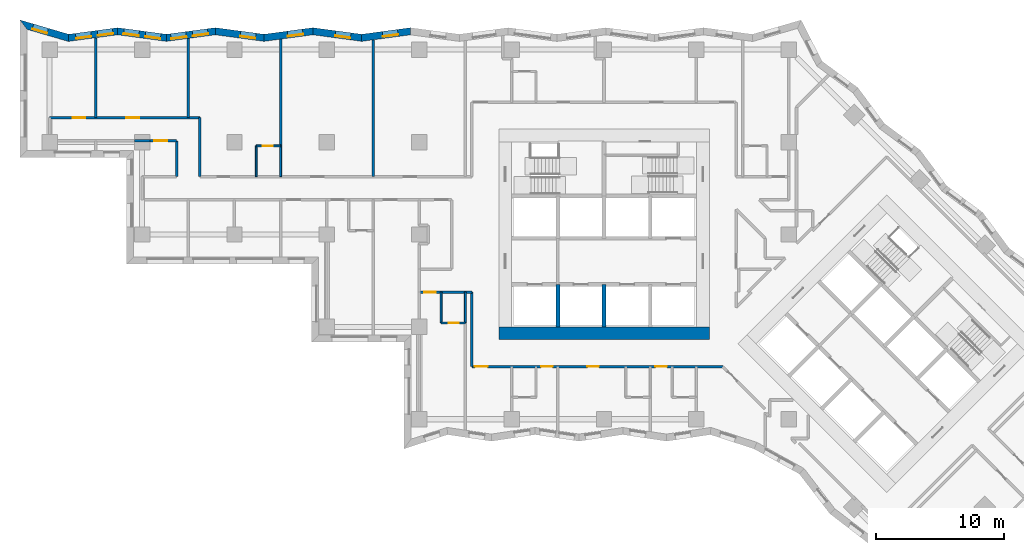
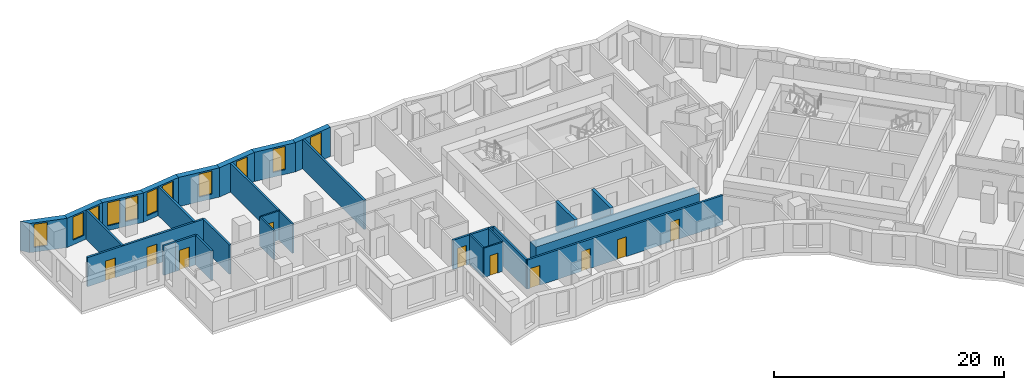
# One storey, part 4 of 12: 29 walls, 11 windows, 10 doors, 21 openings.
"""IFC4 building model written with IfcOpenShell, lengths in metres."""

from ifc_helpers import new_model, si_unit, direction, frame, frame_2d, origin, place, context, subcontext, project, spatial, polyline, rectangle, outline, extrude, material, layer, layer_set, type_object, element, fill, save


model = new_model("IFC4")

# Units and contexts
model_context = context("Model", 3, precision=1e-05, world=origin(), true_north=direction((0.0, 1.0)))
body_context = subcontext(model_context, "Body", "Model", "MODEL_VIEW")
ifc_project = project(units=[si_unit("LENGTHUNIT", "METRE"), si_unit("AREAUNIT", "SQUARE_METRE"), si_unit("VOLUMEUNIT", "CUBIC_METRE"), si_unit("PLANEANGLEUNIT", "RADIAN"), si_unit("MASSUNIT", "GRAM", prefix="KILO")], contexts=[model_context])

# Site, building, storey
site_placement = place(None, origin())
site = spatial("IfcSite", under=ifc_project, at=site_placement, CompositionType="ELEMENT")
building_placement = place(site_placement, origin())
building = spatial("IfcBuilding", under=site, at=building_placement, Name="Windrow Commons", CompositionType="ELEMENT")
storey_placement = place(building_placement, frame((0.0, 0.0, 50.8)))
storey = spatial("IfcBuildingStorey", under=building, at=storey_placement, Name="L13", CompositionType="ELEMENT", Elevation=50.8)

# Wall, opening, window
ifc_material_1 = material(Name="Brick masonry, red clay brick", Category="masonry")
ifc_layer_1 = layer(ifc_material_1, 0.55)
ifc_layer_set_1 = layer_set([ifc_layer_1], Name="Brick facade wall 550")
wall_type_1 = type_object("IfcWallType", Name="Brick facade wall 550", PredefinedType="SOLIDWALL", material=ifc_layer_set_1)
wall_1_placement = place(storey_placement, frame((49.7229, 73.4345, 0.0), z_axis=(0.0, 0.0, 1.0), x_axis=(-0.9910651652, -0.1333785524, 0.0)))
wall_1 = element("IfcWall", 1, at=wall_1_placement, inside=storey, type_object=wall_type_1, Name="Brick facade wall L13 31", PredefinedType="SOLIDWALL", context=body_context, shape_type="SweptSolid", body=[
    extrude(outline(polyline([(-0.037, -0.275), (3.8016, -0.275), (3.8757, 0.275), (0.037, 0.275), (-0.037, -0.275)])), origin(), (0.0, 0.0, 1.0), 3.1),
])
opening_1_placement = place(wall_1_placement, frame((0.9931, 0.0, 0.5)))
opening_1 = element("IfcOpeningElement", 2, at=opening_1_placement, cuts=wall_1, Name="Opening W7D", PredefinedType="OPENING", context=body_context, shape_type="SweptSolid", body=[
    extrude(rectangle(XDim=1.2, YDim=2.45, at=frame_2d((0.6, 1.225))), frame((0.0, 0.285, 0.0), z_axis=(0.0, -1.0, 0.0), x_axis=(1.0, 0.0, 0.0)), (0.0, 0.0, 1.0), 0.57),
])
ifc_material_2 = material(Name="Clear float glass in anodised aluminium frame", Category="aluminium")
window_type = type_object("IfcWindowType", Name="Window W7 notch 1200x2450", PartitioningType="SINGLE_PANEL", PredefinedType="WINDOW", material=ifc_material_2)
window_1_placement = place(opening_1_placement, origin())
window_1 = element("IfcWindow", 3, at=window_1_placement, inside=storey, type_object=window_type, Name="Window L13 31.1", OverallHeight=2.45, OverallWidth=1.2, PartitioningType="SINGLE_PANEL", PredefinedType="WINDOW", context=body_context, shape_type="SweptSolid", body=[
    extrude(rectangle(XDim=1.2, YDim=2.45, at=frame_2d((0.6, 1.225))), frame((0.0, 0.155, 0.0), z_axis=(0.0, -1.0, 0.0), x_axis=(1.0, 0.0, 0.0)), (0.0, 0.0, 1.0), 0.06),
])
fill(opening_1, window_1)

wall_2_placement = place(storey_placement, frame((45.9185, 72.9225, 0.0), z_axis=(0.0, 0.0, 1.0), x_axis=(-0.9910651652, 0.1333785524, 0.0)))
wall_2 = element("IfcWall", 4, at=wall_2_placement, inside=storey, type_object=wall_type_1, Name="Brick facade wall L13 32", PredefinedType="SOLIDWALL", context=body_context, shape_type="SweptSolid", body=[
    extrude(outline(polyline([(0.037, -0.275), (3.8757, -0.275), (3.8016, 0.275), (-0.037, 0.275), (0.037, -0.275)])), origin(), (0.0, 0.0, 1.0), 3.1),
])
opening_2_placement = place(wall_2_placement, frame((0.8715, 0.0, 0.5)))
opening_2 = element("IfcOpeningElement", 5, at=opening_2_placement, cuts=wall_2, Name="Opening W7D", PredefinedType="OPENING", context=body_context, shape_type="SweptSolid", body=[
    extrude(rectangle(XDim=1.2, YDim=2.45, at=frame_2d((0.6, 1.225))), frame((0.0, 0.285, 0.0), z_axis=(0.0, -1.0, 0.0), x_axis=(1.0, 0.0, 0.0)), (0.0, 0.0, 1.0), 0.57),
])
window_2_placement = place(opening_2_placement, origin())
window_2 = element("IfcWindow", 6, at=window_2_placement, inside=storey, type_object=window_type, Name="Window L13 32.1", OverallHeight=2.45, OverallWidth=1.2, PartitioningType="SINGLE_PANEL", PredefinedType="WINDOW", context=body_context, shape_type="SweptSolid", body=[
    extrude(rectangle(XDim=1.2, YDim=2.45, at=frame_2d((0.6, 1.225))), frame((0.0, 0.155, 0.0), z_axis=(0.0, -1.0, 0.0), x_axis=(1.0, 0.0, 0.0)), (0.0, 0.0, 1.0), 0.06),
])
fill(opening_2, window_2)

wall_3_placement = place(storey_placement, frame((42.1141, 73.4345, 0.0), z_axis=(0.0, 0.0, 1.0), x_axis=(-0.9910647018, -0.133381996, 0.0)))
wall_3 = element("IfcWall", 7, at=wall_3_placement, inside=storey, type_object=wall_type_1, Name="Brick facade wall L13 33", PredefinedType="SOLIDWALL", context=body_context, shape_type="SweptSolid", body=[
    extrude(outline(polyline([(-0.037, -0.275), (3.8016, -0.275), (3.8757, 0.275), (0.037, 0.275), (-0.037, -0.275)])), origin(), (0.0, 0.0, 1.0), 3.1),
])
opening_3_placement = place(wall_3_placement, frame((0.7869, 0.0, 0.5)))
opening_3 = element("IfcOpeningElement", 8, at=opening_3_placement, cuts=wall_3, Name="Opening W7D", PredefinedType="OPENING", context=body_context, shape_type="SweptSolid", body=[
    extrude(rectangle(XDim=1.2, YDim=2.45, at=frame_2d((0.6, 1.225))), frame((0.0, 0.285, 0.0), z_axis=(0.0, -1.0, 0.0), x_axis=(1.0, 0.0, 0.0)), (0.0, 0.0, 1.0), 0.57),
])
window_3_placement = place(opening_3_placement, origin())
window_3 = element("IfcWindow", 9, at=window_3_placement, inside=storey, type_object=window_type, Name="Window L13 33.1", OverallHeight=2.45, OverallWidth=1.2, PartitioningType="SINGLE_PANEL", PredefinedType="WINDOW", context=body_context, shape_type="SweptSolid", body=[
    extrude(rectangle(XDim=1.2, YDim=2.45, at=frame_2d((0.6, 1.225))), frame((0.0, 0.155, 0.0), z_axis=(0.0, -1.0, 0.0), x_axis=(1.0, 0.0, 0.0)), (0.0, 0.0, 1.0), 0.06),
])
fill(opening_3, window_3)

wall_4_placement = place(storey_placement, frame((38.3098, 72.9225, 0.0), z_axis=(0.0, 0.0, 1.0), x_axis=(-0.9910651652, 0.1333785524, 0.0)))
wall_4 = element("IfcWall", 10, at=wall_4_placement, inside=storey, type_object=wall_type_1, Name="Brick facade wall L13 34", PredefinedType="SOLIDWALL", context=body_context, shape_type="SweptSolid", body=[
    extrude(outline(polyline([(0.037, -0.275), (3.8757, -0.275), (3.8016, 0.275), (-0.037, 0.275), (0.037, -0.275)])), origin(), (0.0, 0.0, 1.0), 3.1),
])
opening_4_placement = place(wall_4_placement, frame((0.6653, 0.0, 0.5)))
opening_4 = element("IfcOpeningElement", 11, at=opening_4_placement, cuts=wall_4, Name="Opening W7D", PredefinedType="OPENING", context=body_context, shape_type="SweptSolid", body=[
    extrude(rectangle(XDim=1.2, YDim=2.45, at=frame_2d((0.6, 1.225))), frame((0.0, 0.285, 0.0), z_axis=(0.0, -1.0, 0.0), x_axis=(1.0, 0.0, 0.0)), (0.0, 0.0, 1.0), 0.57),
])
window_4_placement = place(opening_4_placement, origin())
window_4 = element("IfcWindow", 12, at=window_4_placement, inside=storey, type_object=window_type, Name="Window L13 34.1", OverallHeight=2.45, OverallWidth=1.2, PartitioningType="SINGLE_PANEL", PredefinedType="WINDOW", context=body_context, shape_type="SweptSolid", body=[
    extrude(rectangle(XDim=1.2, YDim=2.45, at=frame_2d((0.6, 1.225))), frame((0.0, 0.155, 0.0), z_axis=(0.0, -1.0, 0.0), x_axis=(1.0, 0.0, 0.0)), (0.0, 0.0, 1.0), 0.06),
])
fill(opening_4, window_4)

# Wall, openings, windows
wall_5_placement = place(storey_placement, frame((34.5054, 73.4345, 0.0), z_axis=(0.0, 0.0, 1.0), x_axis=(-0.9910647018, -0.133381996, 0.0)))
wall_5 = element("IfcWall", 13, at=wall_5_placement, inside=storey, type_object=wall_type_1, Name="Brick facade wall L13 35", PredefinedType="SOLIDWALL", context=body_context, shape_type="SweptSolid", body=[
    extrude(outline(polyline([(-0.037, -0.275), (3.8016, -0.275), (3.8757, 0.275), (0.037, 0.275), (-0.037, -0.275)])), origin(), (0.0, 0.0, 1.0), 3.1),
])
opening_5_placement = place(wall_5_placement, frame((0.5807, 0.0, 0.5)))
opening_5 = element("IfcOpeningElement", 14, at=opening_5_placement, cuts=wall_5, Name="Opening W7D", PredefinedType="OPENING", context=body_context, shape_type="SweptSolid", body=[
    extrude(rectangle(XDim=1.2, YDim=2.45, at=frame_2d((0.6, 1.225))), frame((0.0, 0.285, 0.0), z_axis=(0.0, -1.0, 0.0), x_axis=(1.0, 0.0, 0.0)), (0.0, 0.0, 1.0), 0.57),
])
opening_6_placement = place(wall_5_placement, frame((2.2815, 0.0, 0.5)))
opening_6 = element("IfcOpeningElement", 15, at=opening_6_placement, cuts=wall_5, Name="Opening W7D", PredefinedType="OPENING", context=body_context, shape_type="SweptSolid", body=[
    extrude(rectangle(XDim=1.2, YDim=2.45, at=frame_2d((0.6, 1.225))), frame((0.0, 0.285, 0.0), z_axis=(0.0, -1.0, 0.0), x_axis=(1.0, 0.0, 0.0)), (0.0, 0.0, 1.0), 0.57),
])
window_5_placement = place(opening_5_placement, origin())
window_5 = element("IfcWindow", 16, at=window_5_placement, inside=storey, type_object=window_type, Name="Window L13 35.1", OverallHeight=2.45, OverallWidth=1.2, PartitioningType="SINGLE_PANEL", PredefinedType="WINDOW", context=body_context, shape_type="SweptSolid", body=[
    extrude(rectangle(XDim=1.2, YDim=2.45, at=frame_2d((0.6, 1.225))), frame((0.0, 0.155, 0.0), z_axis=(0.0, -1.0, 0.0), x_axis=(1.0, 0.0, 0.0)), (0.0, 0.0, 1.0), 0.06),
])
fill(opening_5, window_5)
window_6_placement = place(opening_6_placement, origin())
window_6 = element("IfcWindow", 17, at=window_6_placement, inside=storey, type_object=window_type, Name="Window L13 35.2", OverallHeight=2.45, OverallWidth=1.2, PartitioningType="SINGLE_PANEL", PredefinedType="WINDOW", context=body_context, shape_type="SweptSolid", body=[
    extrude(rectangle(XDim=1.2, YDim=2.45, at=frame_2d((0.6, 1.225))), frame((0.0, 0.155, 0.0), z_axis=(0.0, -1.0, 0.0), x_axis=(1.0, 0.0, 0.0)), (0.0, 0.0, 1.0), 0.06),
])
fill(opening_6, window_6)

wall_6_placement = place(storey_placement, frame((30.7011, 72.9225, 0.0), z_axis=(0.0, 0.0, 1.0), x_axis=(-0.9910651652, 0.1333785524, 0.0)))
wall_6 = element("IfcWall", 18, at=wall_6_placement, inside=storey, type_object=wall_type_1, Name="Brick facade wall L13 36", PredefinedType="SOLIDWALL", context=body_context, shape_type="SweptSolid", body=[
    extrude(outline(polyline([(0.037, -0.275), (3.8757, -0.275), (3.8016, 0.275), (-0.037, 0.275), (0.037, -0.275)])), origin(), (0.0, 0.0, 1.0), 3.1),
])
opening_7_placement = place(wall_6_placement, frame((0.4591, 0.0, 0.5)))
opening_7 = element("IfcOpeningElement", 19, at=opening_7_placement, cuts=wall_6, Name="Opening W7D", PredefinedType="OPENING", context=body_context, shape_type="SweptSolid", body=[
    extrude(rectangle(XDim=1.2, YDim=2.45, at=frame_2d((0.6, 1.225))), frame((0.0, 0.285, 0.0), z_axis=(0.0, -1.0, 0.0), x_axis=(1.0, 0.0, 0.0)), (0.0, 0.0, 1.0), 0.57),
])
opening_8_placement = place(wall_6_placement, frame((2.1599, 0.0, 0.5)))
opening_8 = element("IfcOpeningElement", 20, at=opening_8_placement, cuts=wall_6, Name="Opening W7D", PredefinedType="OPENING", context=body_context, shape_type="SweptSolid", body=[
    extrude(rectangle(XDim=1.2, YDim=2.45, at=frame_2d((0.6, 1.225))), frame((0.0, 0.285, 0.0), z_axis=(0.0, -1.0, 0.0), x_axis=(1.0, 0.0, 0.0)), (0.0, 0.0, 1.0), 0.57),
])
window_7_placement = place(opening_7_placement, origin())
window_7 = element("IfcWindow", 21, at=window_7_placement, inside=storey, type_object=window_type, Name="Window L13 36.1", OverallHeight=2.45, OverallWidth=1.2, PartitioningType="SINGLE_PANEL", PredefinedType="WINDOW", context=body_context, shape_type="SweptSolid", body=[
    extrude(rectangle(XDim=1.2, YDim=2.45, at=frame_2d((0.6, 1.225))), frame((0.0, 0.155, 0.0), z_axis=(0.0, -1.0, 0.0), x_axis=(1.0, 0.0, 0.0)), (0.0, 0.0, 1.0), 0.06),
])
fill(opening_7, window_7)
window_8_placement = place(opening_8_placement, origin())
window_8 = element("IfcWindow", 22, at=window_8_placement, inside=storey, type_object=window_type, Name="Window L13 36.2", OverallHeight=2.45, OverallWidth=1.2, PartitioningType="SINGLE_PANEL", PredefinedType="WINDOW", context=body_context, shape_type="SweptSolid", body=[
    extrude(rectangle(XDim=1.2, YDim=2.45, at=frame_2d((0.6, 1.225))), frame((0.0, 0.155, 0.0), z_axis=(0.0, -1.0, 0.0), x_axis=(1.0, 0.0, 0.0)), (0.0, 0.0, 1.0), 0.06),
])
fill(opening_8, window_8)

wall_7_placement = place(storey_placement, frame((26.8967, 73.4345, 0.0), z_axis=(0.0, 0.0, 1.0), x_axis=(-0.9910665233, -0.1333684607, 0.0)))
wall_7 = element("IfcWall", 23, at=wall_7_placement, inside=storey, type_object=wall_type_1, Name="Brick facade wall L13 37", PredefinedType="SOLIDWALL", context=body_context, shape_type="SweptSolid", body=[
    extrude(outline(polyline([(-0.037, -0.275), (3.8016, -0.275), (3.9183, 0.275), (0.037, 0.275), (-0.037, -0.275)])), origin(), (0.0, 0.0, 1.0), 3.1),
])
opening_9_placement = place(wall_7_placement, frame((0.3745, 0.0, 0.5)))
opening_9 = element("IfcOpeningElement", 24, at=opening_9_placement, cuts=wall_7, Name="Opening W7D", PredefinedType="OPENING", context=body_context, shape_type="SweptSolid", body=[
    extrude(rectangle(XDim=1.2, YDim=2.45, at=frame_2d((0.6, 1.225))), frame((0.0, 0.285, 0.0), z_axis=(0.0, -1.0, 0.0), x_axis=(1.0, 0.0, 0.0)), (0.0, 0.0, 1.0), 0.57),
])
opening_10_placement = place(wall_7_placement, frame((2.086, 0.0, 0.5)))
opening_10 = element("IfcOpeningElement", 25, at=opening_10_placement, cuts=wall_7, Name="Opening W7D", PredefinedType="OPENING", context=body_context, shape_type="SweptSolid", body=[
    extrude(rectangle(XDim=1.2, YDim=2.45, at=frame_2d((0.6, 1.225))), frame((0.0, 0.285, 0.0), z_axis=(0.0, -1.0, 0.0), x_axis=(1.0, 0.0, 0.0)), (0.0, 0.0, 1.0), 0.57),
])
window_9_placement = place(opening_9_placement, origin())
window_9 = element("IfcWindow", 26, at=window_9_placement, inside=storey, type_object=window_type, Name="Window L13 37.1", OverallHeight=2.45, OverallWidth=1.2, PartitioningType="SINGLE_PANEL", PredefinedType="WINDOW", context=body_context, shape_type="SweptSolid", body=[
    extrude(rectangle(XDim=1.2, YDim=2.45, at=frame_2d((0.6, 1.225))), frame((0.0, 0.155, 0.0), z_axis=(0.0, -1.0, 0.0), x_axis=(1.0, 0.0, 0.0)), (0.0, 0.0, 1.0), 0.06),
])
fill(opening_9, window_9)
window_10_placement = place(opening_10_placement, origin())
window_10 = element("IfcWindow", 27, at=window_10_placement, inside=storey, type_object=window_type, Name="Window L13 37.2", OverallHeight=2.45, OverallWidth=1.2, PartitioningType="SINGLE_PANEL", PredefinedType="WINDOW", context=body_context, shape_type="SweptSolid", body=[
    extrude(rectangle(XDim=1.2, YDim=2.45, at=frame_2d((0.6, 1.225))), frame((0.0, 0.155, 0.0), z_axis=(0.0, -1.0, 0.0), x_axis=(1.0, 0.0, 0.0)), (0.0, 0.0, 1.0), 0.06),
])
fill(opening_10, window_10)

# Wall, opening, window
wall_8_placement = place(storey_placement, frame((23.0712, 72.9197, 0.0), z_axis=(0.0, 0.0, 1.0), x_axis=(-0.9598398865, 0.280548378, 0.0)))
wall_8 = element("IfcWall", 28, at=wall_8_placement, inside=storey, type_object=wall_type_1, Name="Brick facade wall L13 38", PredefinedType="SOLIDWALL", context=body_context, shape_type="SweptSolid", body=[
    extrude(outline(polyline([(0.0583, -0.275), (4.0219, -0.275), (3.2881, 0.275), (-0.0583, 0.275), (0.0583, -0.275)])), origin(), (0.0, 0.0, 1.0), 3.1),
])
opening_11_placement = place(wall_8_placement, frame((1.7104, 0.0, 0.5)))
opening_11 = element("IfcOpeningElement", 29, at=opening_11_placement, cuts=wall_8, Name="Opening W7D", PredefinedType="OPENING", context=body_context, shape_type="SweptSolid", body=[
    extrude(rectangle(XDim=1.2, YDim=2.45, at=frame_2d((0.6, 1.225))), frame((0.0, 0.285, 0.0), z_axis=(0.0, -1.0, 0.0), x_axis=(1.0, 0.0, 0.0)), (0.0, 0.0, 1.0), 0.57),
])
window_11_placement = place(opening_11_placement, origin())
window_11 = element("IfcWindow", 30, at=window_11_placement, inside=storey, type_object=window_type, Name="Window L13 38.1", OverallHeight=2.45, OverallWidth=1.2, PartitioningType="SINGLE_PANEL", PredefinedType="WINDOW", context=body_context, shape_type="SweptSolid", body=[
    extrude(rectangle(XDim=1.2, YDim=2.45, at=frame_2d((0.6, 1.225))), frame((0.0, 0.155, 0.0), z_axis=(0.0, -1.0, 0.0), x_axis=(1.0, 0.0, 0.0)), (0.0, 0.0, 1.0), 0.06),
])
fill(opening_11, window_11)

# Wall, openings, doors
ifc_material_3 = material(Name="Blockwork partition", Category="masonry")
ifc_layer_2 = layer(ifc_material_3, 0.2)
ifc_layer_set_2 = layer_set([ifc_layer_2], Name="IW-CORRIDOR-200")
wall_type_2 = type_object("IfcWallType", Name="IW-CORRIDOR-200", PredefinedType="PARTITIONING", material=ifc_layer_set_2)
wall_9_placement = place(storey_placement, frame((54.5, 47.3, 0.0), z_axis=(0.0, 0.0, 1.0), x_axis=(1.0, 0.0, 0.0)))
wall_9 = element("IfcWall", 31, at=wall_9_placement, inside=storey, type_object=wall_type_2, Name="W-L13-W004", PredefinedType="PARTITIONING", context=body_context, shape_type="SweptSolid", body=[
    extrude(rectangle(XDim=19.56, YDim=0.2, at=frame_2d((9.78, 0.0))), origin(), (0.0, 0.0, 1.0), 3.1),
])
opening_12_placement = place(wall_9_placement, frame((0.2302, 0.0, 0.0)))
opening_12 = element("IfcOpeningElement", 32, at=opening_12_placement, cuts=wall_9, Name="Opening D310F", PredefinedType="OPENING", context=body_context, shape_type="SweptSolid", body=[
    extrude(rectangle(XDim=1.0, YDim=2.1, at=frame_2d((0.5, 1.05))), frame((0.0, 0.11, 0.0), z_axis=(0.0, -1.0, 0.0), x_axis=(1.0, 0.0, 0.0)), (0.0, 0.0, 1.0), 0.22),
])
opening_13_placement = place(wall_9_placement, frame((5.4, 0.0, 0.0)))
opening_13 = element("IfcOpeningElement", 33, at=opening_13_placement, cuts=wall_9, Name="Opening D109S", PredefinedType="OPENING", context=body_context, shape_type="SweptSolid", body=[
    extrude(rectangle(XDim=0.9, YDim=2.1, at=frame_2d((0.45, 1.05))), frame((0.0, 0.11, 0.0), z_axis=(0.0, -1.0, 0.0), x_axis=(1.0, 0.0, 0.0)), (0.0, 0.0, 1.0), 0.22),
])
opening_14_placement = place(wall_9_placement, frame((9.0006, 0.0, 0.0)))
opening_14 = element("IfcOpeningElement", 34, at=opening_14_placement, cuts=wall_9, Name="Opening D109F", PredefinedType="OPENING", context=body_context, shape_type="SweptSolid", body=[
    extrude(rectangle(XDim=0.9, YDim=2.1, at=frame_2d((0.45, 1.05))), frame((0.0, 0.11, 0.0), z_axis=(0.0, -1.0, 0.0), x_axis=(1.0, 0.0, 0.0)), (0.0, 0.0, 1.0), 0.22),
])
opening_15_placement = place(wall_9_placement, frame((14.3, 0.0, 0.0)))
opening_15 = element("IfcOpeningElement", 35, at=opening_15_placement, cuts=wall_9, Name="Opening D109S", PredefinedType="OPENING", context=body_context, shape_type="SweptSolid", body=[
    extrude(rectangle(XDim=0.9, YDim=2.1, at=frame_2d((0.45, 1.05))), frame((0.0, 0.11, 0.0), z_axis=(0.0, -1.0, 0.0), x_axis=(1.0, 0.0, 0.0)), (0.0, 0.0, 1.0), 0.22),
])
ifc_material_4 = material(Name="Timber door leaf", Category="wood")
door_type_1 = type_object("IfcDoorType", Name="DT-AMENITY-1000", OperationType="SINGLE_SWING_LEFT", PredefinedType="DOOR", material=ifc_material_4)
door_1_placement = place(opening_12_placement, origin())
door_1 = element("IfcDoor", 36, at=door_1_placement, inside=storey, type_object=door_type_1, Name="D-L13-D021", OperationType="SINGLE_SWING_RIGHT", OverallHeight=2.1, OverallWidth=1.0, PredefinedType="DOOR", context=body_context, shape_type="SweptSolid", body=[
    extrude(rectangle(XDim=1.0, YDim=2.1, at=frame_2d((0.5, 1.05))), frame((0.0, 0.025, 0.0), z_axis=(0.0, -1.0, 0.0), x_axis=(1.0, 0.0, 0.0)), (0.0, 0.0, 1.0), 0.05),
])
fill(opening_12, door_1)
ifc_material_5 = material(Name="Timber door leaf", Category="wood")
door_type_2 = type_object("IfcDoorType", Name="DT-BEDROOM-900", OperationType="SINGLE_SWING_LEFT", PredefinedType="DOOR", material=ifc_material_5)
door_2_placement = place(opening_13_placement, origin())
door_2 = element("IfcDoor", 37, at=door_2_placement, inside=storey, type_object=door_type_2, Name="D-L13-D025", OperationType="SINGLE_SWING_LEFT", OverallHeight=2.1, OverallWidth=0.9, PredefinedType="DOOR", context=body_context, shape_type="SweptSolid", body=[
    extrude(rectangle(XDim=0.9, YDim=2.1, at=frame_2d((0.45, 1.05))), frame((0.0, 0.025, 0.0), z_axis=(0.0, -1.0, 0.0), x_axis=(1.0, 0.0, 0.0)), (0.0, 0.0, 1.0), 0.05),
])
fill(opening_13, door_2)
door_3_placement = place(opening_14_placement, origin())
door_3 = element("IfcDoor", 38, at=door_3_placement, inside=storey, type_object=door_type_2, Name="D-L13-D027", OperationType="SINGLE_SWING_RIGHT", OverallHeight=2.1, OverallWidth=0.9, PredefinedType="DOOR", context=body_context, shape_type="SweptSolid", body=[
    extrude(rectangle(XDim=0.9, YDim=2.1, at=frame_2d((0.45, 1.05))), frame((0.0, 0.025, 0.0), z_axis=(0.0, -1.0, 0.0), x_axis=(1.0, 0.0, 0.0)), (0.0, 0.0, 1.0), 0.05),
])
fill(opening_14, door_3)
door_4_placement = place(opening_15_placement, origin())
door_4 = element("IfcDoor", 39, at=door_4_placement, inside=storey, type_object=door_type_2, Name="D-L13-D029", OperationType="SINGLE_SWING_RIGHT", OverallHeight=2.1, OverallWidth=0.9, PredefinedType="DOOR", context=body_context, shape_type="SweptSolid", body=[
    extrude(rectangle(XDim=0.9, YDim=2.1, at=frame_2d((0.45, 1.05))), frame((0.0, 0.025, 0.0), z_axis=(0.0, -1.0, 0.0), x_axis=(1.0, 0.0, 0.0)), (0.0, 0.0, 1.0), 0.05),
])
fill(opening_15, door_4)

wall_10_placement = place(storey_placement, frame((21.602, 66.7, 0.0), z_axis=(0.0, 0.0, 1.0), x_axis=(1.0, 0.0, 0.0)))
wall_10 = element("IfcWall", 40, at=wall_10_placement, inside=storey, type_object=wall_type_2, Name="W-L13-W006", PredefinedType="PARTITIONING", context=body_context, shape_type="SweptSolid", body=[
    extrude(rectangle(XDim=11.698, YDim=0.2, at=frame_2d((5.849, 0.0))), origin(), (0.0, 0.0, 1.0), 3.1),
])
opening_16_placement = place(wall_10_placement, frame((1.7901, 0.0, 0.0)))
opening_16 = element("IfcOpeningElement", 41, at=opening_16_placement, cuts=wall_10, Name="Opening D310F", PredefinedType="OPENING", context=body_context, shape_type="SweptSolid", body=[
    extrude(rectangle(XDim=1.0, YDim=2.1, at=frame_2d((0.5, 1.05))), frame((0.0, 0.11, 0.0), z_axis=(0.0, -1.0, 0.0), x_axis=(1.0, 0.0, 0.0)), (0.0, 0.0, 1.0), 0.22),
])
opening_17_placement = place(wall_10_placement, frame((5.9717, 0.0, 0.0)))
opening_17 = element("IfcOpeningElement", 42, at=opening_17_placement, cuts=wall_10, Name="Opening D310F", PredefinedType="OPENING", context=body_context, shape_type="SweptSolid", body=[
    extrude(rectangle(XDim=1.0, YDim=2.1, at=frame_2d((0.5, 1.05))), frame((0.0, 0.11, 0.0), z_axis=(0.0, -1.0, 0.0), x_axis=(1.0, 0.0, 0.0)), (0.0, 0.0, 1.0), 0.22),
])
door_5_placement = place(opening_16_placement, origin())
door_5 = element("IfcDoor", 43, at=door_5_placement, inside=storey, type_object=door_type_1, Name="D-L13-D001", OperationType="SINGLE_SWING_RIGHT", OverallHeight=2.1, OverallWidth=1.0, PredefinedType="DOOR", context=body_context, shape_type="SweptSolid", body=[
    extrude(rectangle(XDim=1.0, YDim=2.1, at=frame_2d((0.5, 1.05))), frame((0.0, 0.025, 0.0), z_axis=(0.0, -1.0, 0.0), x_axis=(1.0, 0.0, 0.0)), (0.0, 0.0, 1.0), 0.05),
])
fill(opening_16, door_5)
door_6_placement = place(opening_17_placement, origin())
door_6 = element("IfcDoor", 44, at=door_6_placement, inside=storey, type_object=door_type_1, Name="D-L13-D002", OperationType="SINGLE_SWING_LEFT", OverallHeight=2.1, OverallWidth=1.0, PredefinedType="DOOR", context=body_context, shape_type="SweptSolid", body=[
    extrude(rectangle(XDim=1.0, YDim=2.1, at=frame_2d((0.5, 1.05))), frame((0.0, 0.025, 0.0), z_axis=(0.0, -1.0, 0.0), x_axis=(1.0, 0.0, 0.0)), (0.0, 0.0, 1.0), 0.05),
])
fill(opening_17, door_6)

# Walls
wall_11_placement = place(storey_placement, frame((54.5, 47.3, 0.0), z_axis=(0.0, 0.0, 1.0), x_axis=(0.0, 1.0, 0.0)))
element("IfcWall", 45, at=wall_11_placement, inside=storey, type_object=wall_type_2, Name="W-L13-W032", PredefinedType="PARTITIONING", context=body_context, shape_type="SweptSolid", body=[
    extrude(rectangle(XDim=5.8, YDim=0.2, at=frame_2d((2.9, 0.0))), origin(), (0.0, 0.0, 1.0), 3.1),
])
wall_12_placement = place(storey_placement, frame((33.3, 62.102, 0.0), z_axis=(0.0, 0.0, 1.0), x_axis=(0.0, 1.0, 0.0)))
element("IfcWall", 46, at=wall_12_placement, inside=storey, type_object=wall_type_2, Name="W-L13-W044", PredefinedType="PARTITIONING", context=body_context, shape_type="SweptSolid", body=[
    extrude(rectangle(XDim=4.598, YDim=0.2, at=frame_2d((2.299, 0.0))), origin(), (0.0, 0.0, 1.0), 3.1),
])

# Wall, opening, door
wall_13_placement = place(storey_placement, frame((50.4, 53.1, 0.0), z_axis=(0.0, 0.0, 1.0), x_axis=(1.0, 0.0, 0.0)))
wall_13 = element("IfcWall", 47, at=wall_13_placement, inside=storey, type_object=wall_type_2, Name="W-L13-W048", PredefinedType="PARTITIONING", context=body_context, shape_type="SweptSolid", body=[
    extrude(rectangle(XDim=4.1, YDim=0.2, at=frame_2d((2.05, 0.0))), origin(), (0.0, 0.0, 1.0), 3.1),
])
opening_18_placement = place(wall_13_placement, frame((0.4, 0.0, 0.0)))
opening_18 = element("IfcOpeningElement", 48, at=opening_18_placement, cuts=wall_13, Name="Opening D109S", PredefinedType="OPENING", context=body_context, shape_type="SweptSolid", body=[
    extrude(rectangle(XDim=0.9, YDim=2.1, at=frame_2d((0.45, 1.05))), frame((0.0, 0.11, 0.0), z_axis=(0.0, -1.0, 0.0), x_axis=(1.0, 0.0, 0.0)), (0.0, 0.0, 1.0), 0.22),
])
door_7_placement = place(opening_18_placement, origin())
door_7 = element("IfcDoor", 49, at=door_7_placement, inside=storey, type_object=door_type_2, Name="D-L13-D019", OperationType="SINGLE_SWING_LEFT", OverallHeight=2.1, OverallWidth=0.9, PredefinedType="DOOR", context=body_context, shape_type="SweptSolid", body=[
    extrude(rectangle(XDim=0.9, YDim=2.1, at=frame_2d((0.45, 1.05))), frame((0.0, 0.025, 0.0), z_axis=(0.0, -1.0, 0.0), x_axis=(1.0, 0.0, 0.0)), (0.0, 0.0, 1.0), 0.05),
])
fill(opening_18, door_7)

# Wall
wall_14_placement = place(storey_placement, frame((31.5, 62.102, 0.0), z_axis=(0.0, 0.0, 1.0), x_axis=(0.0, 1.0, 0.0)))
element("IfcWall", 50, at=wall_14_placement, inside=storey, type_object=wall_type_2, Name="W-L13-W056", PredefinedType="PARTITIONING", context=body_context, shape_type="SweptSolid", body=[
    extrude(rectangle(XDim=2.796, YDim=0.2, at=frame_2d((1.398, 0.0))), origin(), (0.0, 0.0, 1.0), 3.1),
])

# Wall, opening, door
wall_15_placement = place(storey_placement, frame((29.4, 64.9, 0.0), z_axis=(0.0, 0.0, 1.0), x_axis=(1.0, 0.0, 0.0)))
wall_15 = element("IfcWall", 51, at=wall_15_placement, inside=storey, type_object=wall_type_2, Name="W-L13-W099", PredefinedType="PARTITIONING", context=body_context, shape_type="SweptSolid", body=[
    extrude(rectangle(XDim=2.1, YDim=0.2, at=frame_2d((1.05, 0.0))), origin(), (0.0, 0.0, 1.0), 3.1),
])
opening_19_placement = place(wall_15_placement, frame((0.3604, 0.0, 0.0)))
opening_19 = element("IfcOpeningElement", 52, at=opening_19_placement, cuts=wall_15, Name="Opening D310F", PredefinedType="OPENING", context=body_context, shape_type="SweptSolid", body=[
    extrude(rectangle(XDim=1.0, YDim=2.1, at=frame_2d((0.5, 1.05))), frame((0.0, 0.11, 0.0), z_axis=(0.0, -1.0, 0.0), x_axis=(1.0, 0.0, 0.0)), (0.0, 0.0, 1.0), 0.22),
])
door_8_placement = place(opening_19_placement, origin())
door_8 = element("IfcDoor", 53, at=door_8_placement, inside=storey, type_object=door_type_1, Name="D-L13-D003", OperationType="SINGLE_SWING_RIGHT", OverallHeight=2.1, OverallWidth=1.0, PredefinedType="DOOR", context=body_context, shape_type="SweptSolid", body=[
    extrude(rectangle(XDim=1.0, YDim=2.1, at=frame_2d((0.5, 1.05))), frame((0.0, 0.025, 0.0), z_axis=(0.0, -1.0, 0.0), x_axis=(1.0, 0.0, 0.0)), (0.0, 0.0, 1.0), 0.05),
])
fill(opening_19, door_8)

# Walls
wall_16_placement = place(storey_placement, frame((28.2, 64.9, 0.0), z_axis=(0.0, 0.0, 1.0), x_axis=(1.0, 0.0, 0.0)))
element("IfcWall", 54, at=wall_16_placement, inside=storey, type_object=wall_type_2, Name="W-L13-W159", PredefinedType="PARTITIONING", context=body_context, shape_type="SweptSolid", body=[
    extrude(rectangle(XDim=1.2, YDim=0.2, at=frame_2d((0.6, 0.0))), origin(), (0.0, 0.0, 1.0), 3.1),
])
ifc_material_6 = material(Name="Blockwork partition", Category="masonry")
ifc_layer_3 = layer(ifc_material_6, 0.15)
ifc_layer_set_3 = layer_set([ifc_layer_3], Name="IW-ENSUITE-150")
wall_type_3 = type_object("IfcWallType", Name="IW-ENSUITE-150", PredefinedType="PARTITIONING", material=ifc_layer_set_3)
for number, where, z_axis, x_axis, name in (
    (55, (37.7, 62.1, 0.0), (0.0, 0.0, 1.0), (0.0, 1.0, 0.0), "W-L13-W068"),
    (56, (39.6, 62.1, 0.0), (0.0, 0.0, 1.0), (0.0, 1.0, 0.0), "W-L13-W069"),
    (57, (52.1, 50.7, 0.0), (0.0, 0.0, 1.0), (0.0, 1.0, 0.0), "W-L13-W072"),
    (58, (54.0, 50.7, 0.0), (0.0, 0.0, 1.0), (0.0, 1.0, 0.0), "W-L13-W073"),
):
    element("IfcWall", number, at=place(storey_placement, frame(where, z_axis=z_axis, x_axis=x_axis)), inside=storey, type_object=wall_type_3, Name=name, PredefinedType="PARTITIONING", context=body_context, shape_type="SweptSolid", body=[
        extrude(rectangle(XDim=2.4, YDim=0.15, at=frame_2d((1.2, 0.0))), origin(), (0.0, 0.0, 1.0), 3.1),
    ])

# Wall, opening, door
wall_17_placement = place(storey_placement, frame((37.7, 64.5, 0.0), z_axis=(0.0, 0.0, 1.0), x_axis=(1.0, 0.0, 0.0)))
wall_17 = element("IfcWall", 59, at=wall_17_placement, inside=storey, type_object=wall_type_3, Name="W-L13-W111", PredefinedType="PARTITIONING", context=body_context, shape_type="SweptSolid", body=[
    extrude(rectangle(XDim=1.9, YDim=0.15, at=frame_2d((0.95, 0.0))), origin(), (0.0, 0.0, 1.0), 3.1),
])
opening_20_placement = place(wall_17_placement, frame((0.4931, 0.0, 0.0)))
opening_20 = element("IfcOpeningElement", 60, at=opening_20_placement, cuts=wall_17, Name="Opening D208N", PredefinedType="OPENING", context=body_context, shape_type="SweptSolid", body=[
    extrude(rectangle(XDim=0.8, YDim=2.1, at=frame_2d((0.4, 1.05))), frame((0.0, 0.085, 0.0), z_axis=(0.0, -1.0, 0.0), x_axis=(1.0, 0.0, 0.0)), (0.0, 0.0, 1.0), 0.17),
])
ifc_material_7 = material(Name="Timber door leaf", Category="wood")
door_type_3 = type_object("IfcDoorType", Name="DT-ENSUITE-800", OperationType="SINGLE_SWING_LEFT", PredefinedType="DOOR", material=ifc_material_7)
door_9_placement = place(opening_20_placement, origin())
door_9 = element("IfcDoor", 61, at=door_9_placement, inside=storey, type_object=door_type_3, Name="D-L13-D007", OperationType="SINGLE_SWING_RIGHT", OverallHeight=2.1, OverallWidth=0.8, PredefinedType="DOOR", context=body_context, shape_type="SweptSolid", body=[
    extrude(rectangle(XDim=0.8, YDim=2.1, at=frame_2d((0.4, 1.05))), frame((0.0, 0.025, 0.0), z_axis=(0.0, -1.0, 0.0), x_axis=(1.0, 0.0, 0.0)), (0.0, 0.0, 1.0), 0.05),
])
fill(opening_20, door_9)

wall_18_placement = place(storey_placement, frame((52.1, 50.7, 0.0), z_axis=(0.0, 0.0, 1.0), x_axis=(1.0, 0.0, 0.0)))
wall_18 = element("IfcWall", 62, at=wall_18_placement, inside=storey, type_object=wall_type_3, Name="W-L13-W113", PredefinedType="PARTITIONING", context=body_context, shape_type="SweptSolid", body=[
    extrude(rectangle(XDim=1.9, YDim=0.15, at=frame_2d((0.95, 0.0))), origin(), (0.0, 0.0, 1.0), 3.1),
])
opening_21_placement = place(wall_18_placement, frame((0.5979, 0.0, 0.0)))
opening_21 = element("IfcOpeningElement", 63, at=opening_21_placement, cuts=wall_18, Name="Opening D208N", PredefinedType="OPENING", context=body_context, shape_type="SweptSolid", body=[
    extrude(rectangle(XDim=0.8, YDim=2.1, at=frame_2d((0.4, 1.05))), frame((0.0, 0.085, 0.0), z_axis=(0.0, -1.0, 0.0), x_axis=(1.0, 0.0, 0.0)), (0.0, 0.0, 1.0), 0.17),
])
door_10_placement = place(opening_21_placement, origin())
door_10 = element("IfcDoor", 64, at=door_10_placement, inside=storey, type_object=door_type_3, Name="D-L13-D020", OperationType="SINGLE_SWING_RIGHT", OverallHeight=2.1, OverallWidth=0.8, PredefinedType="DOOR", context=body_context, shape_type="SweptSolid", body=[
    extrude(rectangle(XDim=0.8, YDim=2.1, at=frame_2d((0.4, 1.05))), frame((0.0, 0.025, 0.0), z_axis=(0.0, -1.0, 0.0), x_axis=(1.0, 0.0, 0.0)), (0.0, 0.0, 1.0), 0.05),
])
fill(opening_21, door_10)

# Walls
ifc_material_8 = material(Name="Blockwork partition", Category="masonry")
ifc_layer_4 = layer(ifc_material_8, 0.2)
ifc_layer_set_4 = layer_set([ifc_layer_4], Name="IW-PARTY-200")
wall_type_4 = type_object("IfcWallType", Name="IW-PARTY-200", PredefinedType="PARTITIONING", material=ifc_layer_set_4)
wall_19_placement = place(storey_placement, frame((46.8, 62.1, 0.0), z_axis=(0.0, 0.0, 1.0), x_axis=(0.0, 1.0, 0.0)))
element("IfcWall", 65, at=wall_19_placement, inside=storey, type_object=wall_type_4, Name="W-L13-W009", PredefinedType="PARTITIONING", context=body_context, shape_type="SweptSolid", body=[
    extrude(rectangle(XDim=10.6637, YDim=0.2, at=frame_2d((5.3319, 0.0))), origin(), (0.0, 0.0, 1.0), 3.1),
])
wall_20_placement = place(storey_placement, frame((39.6, 64.5, 0.0), z_axis=(0.0, 0.0, 1.0), x_axis=(0.0, 1.0, 0.0)))
element("IfcWall", 66, at=wall_20_placement, inside=storey, type_object=wall_type_4, Name="W-L13-W017", PredefinedType="PARTITIONING", context=body_context, shape_type="SweptSolid", body=[
    extrude(rectangle(XDim=8.3187, YDim=0.2, at=frame_2d((4.1593, 0.0))), origin(), (0.0, 0.0, 1.0), 3.1),
])
wall_21_placement = place(storey_placement, frame((25.2, 66.7, 0.0), z_axis=(0.0, 0.0, 1.0), x_axis=(0.0, 1.0, 0.0)))
element("IfcWall", 67, at=wall_21_placement, inside=storey, type_object=wall_type_4, Name="W-L13-W026", PredefinedType="PARTITIONING", context=body_context, shape_type="SweptSolid", body=[
    extrude(rectangle(XDim=6.2287, YDim=0.2, at=frame_2d((3.1143, 0.0))), origin(), (0.0, 0.0, 1.0), 3.1),
])
wall_22_placement = place(storey_placement, frame((32.4, 66.7, 0.0), z_axis=(0.0, 0.0, 1.0), x_axis=(0.0, 1.0, 0.0)))
element("IfcWall", 68, at=wall_22_placement, inside=storey, type_object=wall_type_4, Name="W-L13-W027", PredefinedType="PARTITIONING", context=body_context, shape_type="SweptSolid", body=[
    extrude(rectangle(XDim=6.1737, YDim=0.2, at=frame_2d((3.0869, 0.0))), origin(), (0.0, 0.0, 1.0), 3.1),
])
ifc_material_9 = material(Name="Concrete C60/75", Category="concrete")
ifc_layer_5 = layer(ifc_material_9, 1.0)
ifc_layer_set_5 = layer_set([ifc_layer_5], Name="RC CORE WALL 1000 C60/75")
wall_type_5 = type_object("IfcWallType", Name="RC CORE WALL 1000 C60/75", PredefinedType="SHEAR", material=ifc_layer_set_5)
wall_23_placement = place(storey_placement, frame((56.6, 49.9, -0.3), z_axis=(0.0, 0.0, 1.0), x_axis=(1.0, 0.0, 0.0)))
element("IfcWall", 69, at=wall_23_placement, inside=storey, type_object=wall_type_5, Name="Core A wall outer-S", PredefinedType="SHEAR", context=body_context, shape_type="SweptSolid", body=[
    extrude(rectangle(XDim=16.4, YDim=1.0, at=frame_2d((8.2, 0.0))), origin(), (0.0, 0.0, 1.0), 2.7),
])
ifc_material_10 = material(Name="Concrete C60/75", Category="concrete")
ifc_layer_6 = layer(ifc_material_10, 0.3)
ifc_layer_set_6 = layer_set([ifc_layer_6], Name="RC SHAFT WALL 300 C60/75")
wall_type_6 = type_object("IfcWallType", Name="RC SHAFT WALL 300 C60/75", PredefinedType="SOLIDWALL", material=ifc_layer_set_6)
for number, where, z_axis, x_axis, name in (
    (70, (61.2, 50.4, 0.0), (0.0, 0.0, 1.0), (0.0, 1.0, 0.0), "Core A wall shaft-S1"),
    (71, (64.8, 50.4, 0.0), (0.0, 0.0, 1.0), (0.0, 1.0, 0.0), "Core A wall shaft-S2"),
):
    element("IfcWall", number, at=place(storey_placement, frame(where, z_axis=z_axis, x_axis=x_axis)), inside=storey, type_object=wall_type_6, Name=name, PredefinedType="SOLIDWALL", context=body_context, shape_type="SweptSolid", body=[
        extrude(rectangle(XDim=3.3, YDim=0.3, at=frame_2d((1.65, 0.0))), origin(), (0.0, 0.0, 1.0), 3.1),
    ])

save(model, "model.ifc")
